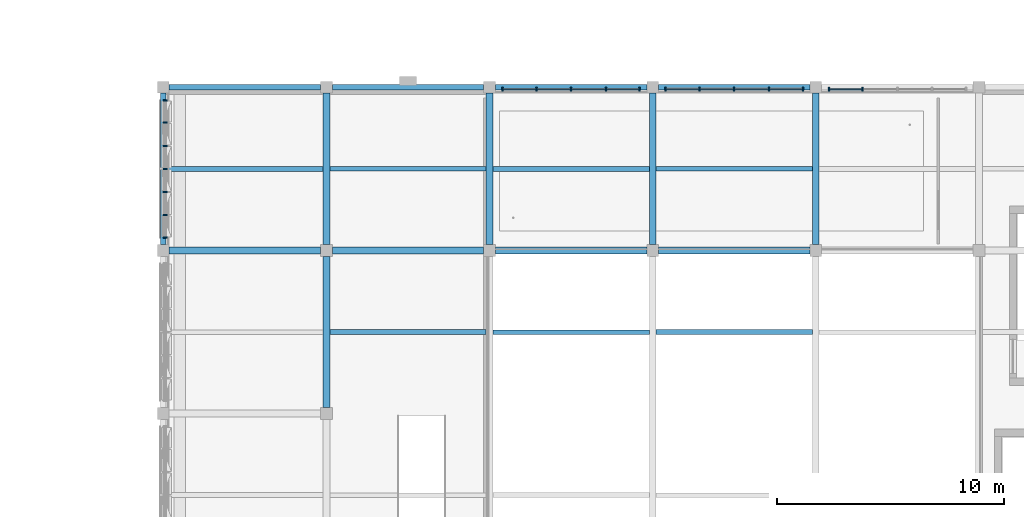
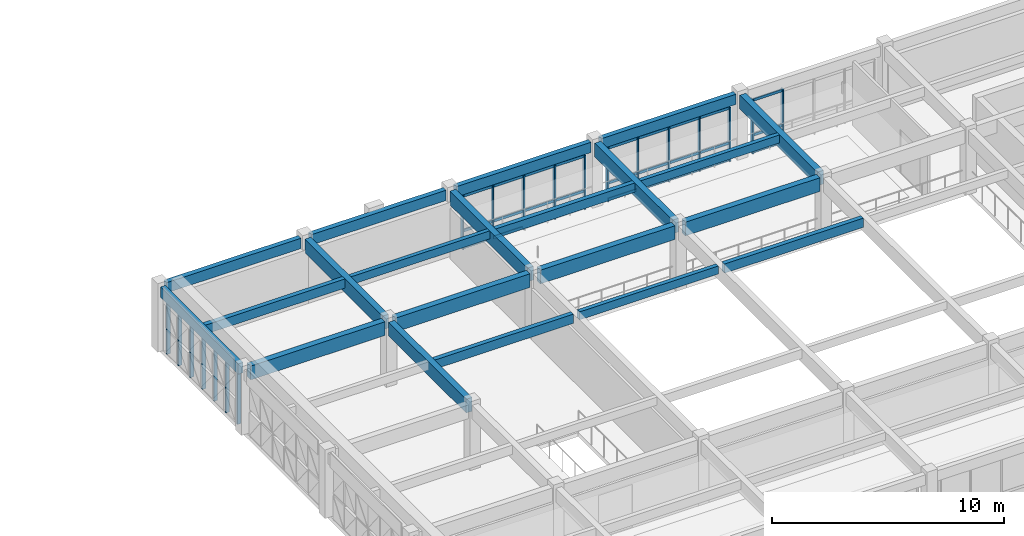
# One storey, part 11 of 74: 46 members, 21 beams, 4 elements without a shape of their own.
"""IFC4 building model written with IfcOpenShell, lengths in metres."""

from ifc_helpers import new_model, si_unit, direction, frame, origin, origin_2d, place, context, subcontext, project, spatial, rectangle, extrude, material, material_profile, profile_set, type_object, element, aggregate, save


model = new_model("IFC4")

# Units and contexts
model_context = context("Model", 3, precision=1e-05, world=origin(), true_north=direction((0.0, 1.0)))
body_context = subcontext(model_context, "Body", "Model", "MODEL_VIEW")
ifc_project = project(units=[si_unit("LENGTHUNIT", "METRE"), si_unit("AREAUNIT", "SQUARE_METRE"), si_unit("VOLUMEUNIT", "CUBIC_METRE"), si_unit("PLANEANGLEUNIT", "RADIAN"), si_unit("MASSUNIT", "GRAM", prefix="KILO")], contexts=[model_context])

# Site, building, storey
site_placement = place(None, origin())
site = spatial("IfcSite", under=ifc_project, at=site_placement, CompositionType="ELEMENT")
building_placement = place(site_placement, origin())
building = spatial("IfcBuilding", under=site, at=building_placement, Name="Alvorim Cloister Faculty of Sciences", CompositionType="ELEMENT")
storey_placement = place(building_placement, frame((0.0, 0.0, 15.75)))
storey = spatial("IfcBuildingStorey", under=building, at=storey_placement, Name="L04", CompositionType="ELEMENT", Elevation=15.75)

# Beams
ifc_material_1 = material(Name="Glulam GL32h", Category="wood")
ifc_material_profile_1 = material_profile(ifc_material_1, rectangle(XDim=0.300048828125, YDim=0.719970703125, at=origin_2d()), Name="GL32-BM-300x720")
ifc_profile_set_1 = profile_set([ifc_material_profile_1], Name="Glulam GL32h")
beam_type_1 = type_object("IfcBeamType", Name="BM-GL-300x720", PredefinedType="BEAM", material=ifc_profile_set_1)
for number, where, z_axis, x_axis, name in (
    (1, (65.06005859375, 21.60009765625, 3.030029296875), (1.0, 0.0, 0.0), (0.0, 1.0, 0.0), "L04 Primary Beam BM-1745"),
    (2, (72.260009765625, 21.60009765625, 3.030029296875), (1.0, 0.0, 0.0), (0.0, 1.0, 0.0), "L04 Primary Beam BM-1746"),
    (3, (79.4599609375, 21.60009765625, 3.030029296875), (1.0, 0.0, 0.0), (0.0, 1.0, 0.0), "L04 Primary Beam BM-1747"),
):
    element("IfcBeam", number, at=place(storey_placement, frame(where, z_axis=z_axis, x_axis=x_axis)), inside=storey, type_object=beam_type_1, Name=name, PredefinedType="BEAM", context=body_context, shape_type="SweptSolid", body=[
        extrude(rectangle(XDim=0.300048828125, YDim=0.719970703125, at=origin_2d()), origin(), (0.0, 0.0, 1.0), 6.679931640625),
    ])
for number, where, z_axis, x_axis, name in (
    (4, (86.659912109375, 21.60009765625, 3.030029296875), (1.0, 0.0, 0.0), (0.0, 1.0, 0.0), "L04 Primary Beam BM-1748"),
    (5, (72.0, 14.659912109375, 3.030029296875), (0.0, 1.0, 0.0), (-1.0, 0.0, 0.0), "L04 Primary Girder BM-1869"),
):
    element("IfcBeam", number, at=place(storey_placement, frame(where, z_axis=z_axis, x_axis=x_axis)), inside=storey, type_object=beam_type_1, Name=name, PredefinedType="BEAM", context=body_context, shape_type="SweptSolid", body=[
        extrude(rectangle(XDim=0.300048828125, YDim=0.719970703125, at=origin_2d()), origin(), (0.0, 0.0, 1.0), 6.68017578125),
    ])
for number, where, z_axis, x_axis, name in (
    (6, (72.0, 21.860107421875, 3.030029296875), (0.0, 1.0, 0.0), (-1.0, 0.0, 0.0), "L04 Primary Girder BM-1870"),
    (7, (79.199951171875, 21.860107421875, 3.030029296875), (0.0, 1.0, 0.0), (-1.0, 0.0, 0.0), "L04 Primary Girder BM-1873"),
    (8, (86.39990234375, 21.860107421875, 3.030029296875), (0.0, 1.0, 0.0), (-1.0, 0.0, 0.0), "L04 Primary Girder BM-1876"),
    (9, (93.60009765625, 21.860107421875, 3.030029296875), (0.0, 1.0, 0.0), (-1.0, 0.0, 0.0), "L04 Primary Girder BM-1879"),
):
    element("IfcBeam", number, at=place(storey_placement, frame(where, z_axis=z_axis, x_axis=x_axis)), inside=storey, type_object=beam_type_1, Name=name, PredefinedType="BEAM", context=body_context, shape_type="SweptSolid", body=[
        extrude(rectangle(XDim=0.300048828125, YDim=0.719970703125, at=origin_2d()), origin(), (0.0, 0.0, 1.0), 6.679931640625),
    ])
ifc_material_2 = material(Name="Glulam GL28h", Category="wood")
ifc_material_profile_2 = material_profile(ifc_material_2, rectangle(XDim=0.199951171875, YDim=0.419921875, at=origin_2d()), Name="GL28-JST-200x420")
ifc_profile_set_2 = profile_set([ifc_material_profile_2], Name="Glulam GL28h")
beam_type_2 = type_object("IfcBeamType", Name="BM-JST-GL-200x420", PredefinedType="JOIST", material=ifc_profile_set_2)
beam_1_placement = place(storey_placement, frame((72.14990234375, 25.199951171875, 3.179931640625), z_axis=(1.0, 0.0, 0.0), x_axis=(0.0, 1.0, 0.0)))
element("IfcBeam", 10, at=beam_1_placement, inside=storey, type_object=beam_type_2, Name="L04 Secondary Floor Joist BM-1944", PredefinedType="JOIST", context=body_context, shape_type="SweptSolid", body=[
    extrude(rectangle(XDim=0.199951171875, YDim=0.419921875, at=origin_2d()), origin(), (0.0, 0.0, 1.0), 6.900146484375),
])
for number, where, z_axis, x_axis, name in (
    (11, (79.35009765625, 18.0, 3.179931640625), (1.0, 0.0, 0.0), (0.0, 1.0, 0.0), "L04 Secondary Floor Joist BM-1947"),
    (12, (86.550048828125, 25.199951171875, 3.179931640625), (1.0, 0.0, 0.0), (0.0, 1.0, 0.0), "L04 Secondary Floor Joist BM-1952"),
):
    element("IfcBeam", number, at=place(storey_placement, frame(where, z_axis=z_axis, x_axis=x_axis)), inside=storey, type_object=beam_type_2, Name=name, PredefinedType="JOIST", context=body_context, shape_type="SweptSolid", body=[
        extrude(rectangle(XDim=0.199951171875, YDim=0.419921875, at=origin_2d()), origin(), (0.0, 0.0, 1.0), 6.89990234375),
    ])
ifc_material_profile_3 = material_profile(ifc_material_2, rectangle(XDim=0.219970703125, YDim=0.47998046875, at=origin_2d()), Name="GL28-JST-220x480")
ifc_profile_set_3 = profile_set([ifc_material_profile_3], Name="Glulam GL28h")
beam_type_3 = type_object("IfcBeamType", Name="BM-JST-GL-220x480", PredefinedType="JOIST", material=ifc_profile_set_3)
beam_2_placement = place(storey_placement, frame((64.919921875, 25.199951171875, 3.14990234375), z_axis=(1.0, 0.0, 0.0), x_axis=(0.0, 1.0, 0.0)))
element("IfcBeam", 13, at=beam_2_placement, inside=storey, type_object=beam_type_3, Name="L04 Secondary Floor Joist BM-1940", PredefinedType="JOIST", context=body_context, shape_type="SweptSolid", body=[
    extrude(rectangle(XDim=0.219970703125, YDim=0.47998046875, at=origin_2d()), origin(), (0.0, 0.0, 1.0), 6.93017578125),
])
beam_3_placement = place(storey_placement, frame((72.14990234375, 18.0, 3.14990234375), z_axis=(1.0, 0.0, 0.0), x_axis=(0.0, 1.0, 0.0)))
element("IfcBeam", 14, at=beam_3_placement, inside=storey, type_object=beam_type_3, Name="L04 Secondary Floor Joist BM-1943", PredefinedType="JOIST", context=body_context, shape_type="SweptSolid", body=[
    extrude(rectangle(XDim=0.219970703125, YDim=0.47998046875, at=origin_2d()), origin(), (0.0, 0.0, 1.0), 6.900146484375),
])
for number, where, z_axis, x_axis, name in (
    (15, (79.35009765625, 25.199951171875, 3.14990234375), (1.0, 0.0, 0.0), (0.0, 1.0, 0.0), "L04 Secondary Floor Joist BM-1948"),
    (16, (86.550048828125, 18.0, 3.14990234375), (1.0, 0.0, 0.0), (0.0, 1.0, 0.0), "L04 Secondary Floor Joist BM-1951"),
):
    element("IfcBeam", number, at=place(storey_placement, frame(where, z_axis=z_axis, x_axis=x_axis)), inside=storey, type_object=beam_type_3, Name=name, PredefinedType="JOIST", context=body_context, shape_type="SweptSolid", body=[
        extrude(rectangle(XDim=0.219970703125, YDim=0.47998046875, at=origin_2d()), origin(), (0.0, 0.0, 1.0), 6.89990234375),
    ])
ifc_material_profile_4 = material_profile(ifc_material_2, rectangle(XDim=0.239990234375, YDim=0.5400390625, at=origin_2d()), Name="GL28-SPD-240x540")
ifc_profile_set_4 = profile_set([ifc_material_profile_4], Name="Glulam GL28h")
beam_type_4 = type_object("IfcBeamType", Name="BM-SPD-GL-240x540", PredefinedType="SPANDREL", material=ifc_profile_set_4)
for number, where, z_axis, x_axis, name in (
    (17, (65.06005859375, 28.800048828125, 3.1201171875), (1.0, 0.0, 0.0), (0.0, 1.0, 0.0), "L04 Primary Beam BM-1752"),
    (18, (72.260009765625, 28.800048828125, 3.1201171875), (1.0, 0.0, 0.0), (0.0, 1.0, 0.0), "L04 Primary Beam BM-1753"),
    (19, (79.4599609375, 28.800048828125, 3.1201171875), (1.0, 0.0, 0.0), (0.0, 1.0, 0.0), "L04 Primary Beam BM-1754"),
):
    element("IfcBeam", number, at=place(storey_placement, frame(where, z_axis=z_axis, x_axis=x_axis)), inside=storey, type_object=beam_type_4, Name=name, PredefinedType="SPANDREL", context=body_context, shape_type="SweptSolid", body=[
        extrude(rectangle(XDim=0.239990234375, YDim=0.5400390625, at=origin_2d()), origin(), (0.0, 0.0, 1.0), 6.679931640625),
    ])
beam_4_placement = place(storey_placement, frame((86.659912109375, 28.800048828125, 3.1201171875), z_axis=(1.0, 0.0, 0.0), x_axis=(0.0, 1.0, 0.0)))
element("IfcBeam", 20, at=beam_4_placement, inside=storey, type_object=beam_type_4, Name="L04 Primary Beam BM-1755", PredefinedType="SPANDREL", context=body_context, shape_type="SweptSolid", body=[
    extrude(rectangle(XDim=0.239990234375, YDim=0.5400390625, at=origin_2d()), origin(), (0.0, 0.0, 1.0), 6.68017578125),
])
beam_5_placement = place(storey_placement, frame((64.800048828125, 21.860107421875, 3.1201171875), z_axis=(0.0, 1.0, 0.0), x_axis=(-1.0, 0.0, 0.0)))
element("IfcBeam", 21, at=beam_5_placement, inside=storey, type_object=beam_type_4, Name="L04 Primary Girder BM-1866", PredefinedType="SPANDREL", context=body_context, shape_type="SweptSolid", body=[
    extrude(rectangle(XDim=0.239990234375, YDim=0.5400390625, at=origin_2d()), origin(), (0.0, 0.0, 1.0), 6.679931640625),
])

# Curtain wall, members
ifc_material_3 = material(Name="Aluminium and Low-E Glass Curtain Wall", Category="aluminium")
curtain_wall_type_1 = type_object("IfcCurtainWallType", Name="CW-TRI-6120x2746", PredefinedType="USERDEFINED", material=ifc_material_3)
curtain_wall_1_placement = place(storey_placement, origin())
curtain_wall_1 = element("IfcCurtainWall", 22, at=curtain_wall_1_placement, inside=storey, type_object=curtain_wall_type_1, Name="L04 Diagonal Cassette Curtain Wall CW-0209", ObjectType="UNITISED CURTAIN WALL", PredefinedType="USERDEFINED")
ifc_material_4 = material(Name="Aluminium Alloy 6063-T6", Category="aluminium")
ifc_material_profile_5 = material_profile(ifc_material_4, rectangle(XDim=0.06494140625, YDim=0.179931640625, at=origin_2d()), Name="ALU-MUL-65x180")
ifc_profile_set_5 = profile_set([ifc_material_profile_5], Name="Aluminium Alloy 6063-T6")
member_type_1 = type_object("IfcMemberType", Name="CW-MUL-65x180", PredefinedType="MULLION", material=ifc_profile_set_5)
member_1_placement = place(storey_placement, frame((64.889892578125, 22.172607421875, 0.0), z_axis=(0.0, 0.0, 1.0), x_axis=(0.0, 1.0, 0.0)))
member_1 = element("IfcMember", 23, at=member_1_placement, type_object=member_type_1, Name="CW-0209 Mullion 1", PredefinedType="MULLION", context=body_context, shape_type="SweptSolid", body=[
    extrude(rectangle(XDim=0.06494140625, YDim=0.179931640625, at=origin_2d()), origin(), (0.0, 0.0, 1.0), 2.74560546875),
])
member_2_placement = place(storey_placement, frame((64.889892578125, 23.159912109375, 0.0), z_axis=(0.0, 0.0, 1.0), x_axis=(0.0, 1.0, 0.0)))
member_2 = element("IfcMember", 24, at=member_2_placement, type_object=member_type_1, Name="CW-0209 Mullion 2", PredefinedType="MULLION", context=body_context, shape_type="SweptSolid", body=[
    extrude(rectangle(XDim=0.06494140625, YDim=0.179931640625, at=origin_2d()), origin(), (0.0, 0.0, 1.0), 2.74560546875),
])
member_3_placement = place(storey_placement, frame((64.889892578125, 24.179931640625, 0.0), z_axis=(0.0, 0.0, 1.0), x_axis=(0.0, 1.0, 0.0)))
member_3 = element("IfcMember", 25, at=member_3_placement, type_object=member_type_1, Name="CW-0209 Mullion 3", PredefinedType="MULLION", context=body_context, shape_type="SweptSolid", body=[
    extrude(rectangle(XDim=0.06494140625, YDim=0.179931640625, at=origin_2d()), origin(), (0.0, 0.0, 1.0), 2.74560546875),
])
member_4_placement = place(storey_placement, frame((64.889892578125, 25.199951171875, 0.0), z_axis=(0.0, 0.0, 1.0), x_axis=(0.0, 1.0, 0.0)))
member_4 = element("IfcMember", 26, at=member_4_placement, type_object=member_type_1, Name="CW-0209 Mullion 4", PredefinedType="MULLION", context=body_context, shape_type="SweptSolid", body=[
    extrude(rectangle(XDim=0.06494140625, YDim=0.179931640625, at=origin_2d()), origin(), (0.0, 0.0, 1.0), 2.74560546875),
])
member_5_placement = place(storey_placement, frame((64.889892578125, 26.219970703125, 0.0), z_axis=(0.0, 0.0, 1.0), x_axis=(0.0, 1.0, 0.0)))
member_5 = element("IfcMember", 27, at=member_5_placement, type_object=member_type_1, Name="CW-0209 Mullion 5", PredefinedType="MULLION", context=body_context, shape_type="SweptSolid", body=[
    extrude(rectangle(XDim=0.06494140625, YDim=0.179931640625, at=origin_2d()), origin(), (0.0, 0.0, 1.0), 2.74560546875),
])
member_6_placement = place(storey_placement, frame((64.889892578125, 27.239990234375, 0.0), z_axis=(0.0, 0.0, 1.0), x_axis=(0.0, 1.0, 0.0)))
member_6 = element("IfcMember", 28, at=member_6_placement, type_object=member_type_1, Name="CW-0209 Mullion 6", PredefinedType="MULLION", context=body_context, shape_type="SweptSolid", body=[
    extrude(rectangle(XDim=0.06494140625, YDim=0.179931640625, at=origin_2d()), origin(), (0.0, 0.0, 1.0), 2.74560546875),
])
member_7_placement = place(storey_placement, frame((64.889892578125, 28.2275390625, 0.0), z_axis=(0.0, 0.0, 1.0), x_axis=(0.0, 1.0, 0.0)))
member_7 = element("IfcMember", 29, at=member_7_placement, type_object=member_type_1, Name="CW-0209 Mullion 7", PredefinedType="MULLION", context=body_context, shape_type="SweptSolid", body=[
    extrude(rectangle(XDim=0.06494140625, YDim=0.179931640625, at=origin_2d()), origin(), (0.0, 0.0, 1.0), 2.74560546875),
])
aggregate(curtain_wall_1, [member_1, member_2, member_3, member_4, member_5, member_6, member_7])

curtain_wall_type_2 = type_object("IfcCurtainWallType", Name="CW-GLZ-6120x2850", PredefinedType="USERDEFINED", material=ifc_material_3)
curtain_wall_2_placement = place(storey_placement, origin())
curtain_wall_2 = element("IfcCurtainWall", 30, at=curtain_wall_2_placement, inside=storey, type_object=curtain_wall_type_2, Name="L04 Entrance and Atrium Glazed Curtain Wall CW-0210", ObjectType="UNITISED CURTAIN WALL", PredefinedType="USERDEFINED")
member_8_placement = place(storey_placement, frame((79.7724609375, 28.7099609375, 0.0), z_axis=(0.0, 0.0, 1.0), x_axis=(1.0, 0.0, 0.0)))
member_8 = element("IfcMember", 31, at=member_8_placement, type_object=member_type_1, Name="CW-10 mullion 1", PredefinedType="MULLION", context=body_context, shape_type="SweptSolid", body=[
    extrude(rectangle(XDim=0.06494140625, YDim=0.179931640625, at=origin_2d()), origin(), (0.0, 0.0, 1.0), 2.85009765625),
])
member_9_placement = place(storey_placement, frame((81.27001953125, 28.7099609375, 0.0), z_axis=(0.0, 0.0, 1.0), x_axis=(1.0, 0.0, 0.0)))
member_9 = element("IfcMember", 32, at=member_9_placement, type_object=member_type_1, Name="CW-10 mullion 2", PredefinedType="MULLION", context=body_context, shape_type="SweptSolid", body=[
    extrude(rectangle(XDim=0.06494140625, YDim=0.179931640625, at=origin_2d()), origin(), (0.0, 0.0, 1.0), 2.85009765625),
])
member_10_placement = place(storey_placement, frame((82.800048828125, 28.7099609375, 0.0), z_axis=(0.0, 0.0, 1.0), x_axis=(1.0, 0.0, 0.0)))
member_10 = element("IfcMember", 33, at=member_10_placement, type_object=member_type_1, Name="CW-10 mullion 3", PredefinedType="MULLION", context=body_context, shape_type="SweptSolid", body=[
    extrude(rectangle(XDim=0.06494140625, YDim=0.179931640625, at=origin_2d()), origin(), (0.0, 0.0, 1.0), 2.85009765625),
])
member_11_placement = place(storey_placement, frame((84.330078125, 28.7099609375, 0.0), z_axis=(0.0, 0.0, 1.0), x_axis=(1.0, 0.0, 0.0)))
member_11 = element("IfcMember", 34, at=member_11_placement, type_object=member_type_1, Name="CW-10 mullion 4", PredefinedType="MULLION", context=body_context, shape_type="SweptSolid", body=[
    extrude(rectangle(XDim=0.06494140625, YDim=0.179931640625, at=origin_2d()), origin(), (0.0, 0.0, 1.0), 2.85009765625),
])
member_12_placement = place(storey_placement, frame((85.827392578125, 28.7099609375, 0.0), z_axis=(0.0, 0.0, 1.0), x_axis=(1.0, 0.0, 0.0)))
member_12 = element("IfcMember", 35, at=member_12_placement, type_object=member_type_1, Name="CW-10 mullion 5", PredefinedType="MULLION", context=body_context, shape_type="SweptSolid", body=[
    extrude(rectangle(XDim=0.06494140625, YDim=0.179931640625, at=origin_2d()), origin(), (0.0, 0.0, 1.0), 2.85009765625),
])

curtain_wall_3_placement = place(storey_placement, origin())
curtain_wall_3 = element("IfcCurtainWall", 36, at=curtain_wall_3_placement, inside=storey, type_object=curtain_wall_type_2, Name="L04 Entrance and Atrium Glazed Curtain Wall CW-0211", ObjectType="UNITISED CURTAIN WALL", PredefinedType="USERDEFINED")
member_13_placement = place(storey_placement, frame((86.972412109375, 28.7099609375, 0.0), z_axis=(0.0, 0.0, 1.0), x_axis=(1.0, 0.0, 0.0)))
member_13 = element("IfcMember", 37, at=member_13_placement, type_object=member_type_1, Name="CW-10 mullion 1", PredefinedType="MULLION", context=body_context, shape_type="SweptSolid", body=[
    extrude(rectangle(XDim=0.06494140625, YDim=0.179931640625, at=origin_2d()), origin(), (0.0, 0.0, 1.0), 2.85009765625),
])
member_14_placement = place(storey_placement, frame((88.469970703125, 28.7099609375, 0.0), z_axis=(0.0, 0.0, 1.0), x_axis=(1.0, 0.0, 0.0)))
member_14 = element("IfcMember", 38, at=member_14_placement, type_object=member_type_1, Name="CW-10 mullion 2", PredefinedType="MULLION", context=body_context, shape_type="SweptSolid", body=[
    extrude(rectangle(XDim=0.06494140625, YDim=0.179931640625, at=origin_2d()), origin(), (0.0, 0.0, 1.0), 2.85009765625),
])
member_15_placement = place(storey_placement, frame((90.0, 28.7099609375, 0.0), z_axis=(0.0, 0.0, 1.0), x_axis=(1.0, 0.0, 0.0)))
member_15 = element("IfcMember", 39, at=member_15_placement, type_object=member_type_1, Name="CW-10 mullion 3", PredefinedType="MULLION", context=body_context, shape_type="SweptSolid", body=[
    extrude(rectangle(XDim=0.06494140625, YDim=0.179931640625, at=origin_2d()), origin(), (0.0, 0.0, 1.0), 2.85009765625),
])
member_16_placement = place(storey_placement, frame((91.530029296875, 28.7099609375, 0.0), z_axis=(0.0, 0.0, 1.0), x_axis=(1.0, 0.0, 0.0)))
member_16 = element("IfcMember", 40, at=member_16_placement, type_object=member_type_1, Name="CW-10 mullion 4", PredefinedType="MULLION", context=body_context, shape_type="SweptSolid", body=[
    extrude(rectangle(XDim=0.06494140625, YDim=0.179931640625, at=origin_2d()), origin(), (0.0, 0.0, 1.0), 2.85009765625),
])
member_17_placement = place(storey_placement, frame((93.027587890625, 28.7099609375, 0.0), z_axis=(0.0, 0.0, 1.0), x_axis=(1.0, 0.0, 0.0)))
member_17 = element("IfcMember", 41, at=member_17_placement, type_object=member_type_1, Name="CW-10 mullion 5", PredefinedType="MULLION", context=body_context, shape_type="SweptSolid", body=[
    extrude(rectangle(XDim=0.06494140625, YDim=0.179931640625, at=origin_2d()), origin(), (0.0, 0.0, 1.0), 2.85009765625),
])

curtain_wall_4_placement = place(storey_placement, origin())
curtain_wall_4 = element("IfcCurtainWall", 42, at=curtain_wall_4_placement, inside=storey, type_object=curtain_wall_type_2, Name="L04 Entrance and Atrium Glazed Curtain Wall CW-0212", ObjectType="UNITISED CURTAIN WALL", PredefinedType="USERDEFINED")
member_18_placement = place(storey_placement, frame((94.172607421875, 28.7099609375, 0.0), z_axis=(0.0, 0.0, 1.0), x_axis=(1.0, 0.0, 0.0)))
member_18 = element("IfcMember", 43, at=member_18_placement, type_object=member_type_1, Name="CW-10 mullion 1", PredefinedType="MULLION", context=body_context, shape_type="SweptSolid", body=[
    extrude(rectangle(XDim=0.06494140625, YDim=0.179931640625, at=origin_2d()), origin(), (0.0, 0.0, 1.0), 2.85009765625),
])
member_19_placement = place(storey_placement, frame((95.669921875, 28.7099609375, 0.0), z_axis=(0.0, 0.0, 1.0), x_axis=(1.0, 0.0, 0.0)))
member_19 = element("IfcMember", 44, at=member_19_placement, type_object=member_type_1, Name="CW-10 mullion 2", PredefinedType="MULLION", context=body_context, shape_type="SweptSolid", body=[
    extrude(rectangle(XDim=0.06494140625, YDim=0.179931640625, at=origin_2d()), origin(), (0.0, 0.0, 1.0), 2.85009765625),
])

# Member
ifc_material_profile_6 = material_profile(ifc_material_4, rectangle(XDim=0.06494140625, YDim=0.139892578125, at=origin_2d()), Name="ALU-TRN-65x140")
ifc_profile_set_6 = profile_set([ifc_material_profile_6], Name="Aluminium Alloy 6063-T6")
member_type_2 = type_object("IfcMemberType", Name="CW-TRN-65x140", PredefinedType="USERDEFINED", material=ifc_profile_set_6)
member_20_placement = place(storey_placement, frame((79.804931640625, 28.7099609375, 0.070068359375), z_axis=(1.0, 0.0, 0.0), x_axis=(0.0, 1.0, 0.0)))
member_20 = element("IfcMember", 45, at=member_20_placement, type_object=member_type_2, Name="CW-10 transom 1.1", ObjectType="TRANSOM", PredefinedType="USERDEFINED", context=body_context, shape_type="SweptSolid", body=[
    extrude(rectangle(XDim=0.06494140625, YDim=0.139892578125, at=origin_2d()), origin(), (0.0, 0.0, 1.0), 1.4326171875),
])

member_21_placement = place(storey_placement, frame((79.804931640625, 28.7099609375, 0.949951171875), z_axis=(1.0, 0.0, 0.0), x_axis=(0.0, 1.0, 0.0)))
member_21 = element("IfcMember", 46, at=member_21_placement, type_object=member_type_2, Name="CW-10 transom 1.2", ObjectType="TRANSOM", PredefinedType="USERDEFINED", context=body_context, shape_type="SweptSolid", body=[
    extrude(rectangle(XDim=0.06494140625, YDim=0.139892578125, at=origin_2d()), origin(), (0.0, 0.0, 1.0), 1.4326171875),
])

member_22_placement = place(storey_placement, frame((79.804931640625, 28.7099609375, 2.780029296875), z_axis=(1.0, 0.0, 0.0), x_axis=(0.0, 1.0, 0.0)))
member_22 = element("IfcMember", 47, at=member_22_placement, type_object=member_type_2, Name="CW-10 transom 1.3", ObjectType="TRANSOM", PredefinedType="USERDEFINED", context=body_context, shape_type="SweptSolid", body=[
    extrude(rectangle(XDim=0.06494140625, YDim=0.139892578125, at=origin_2d()), origin(), (0.0, 0.0, 1.0), 1.4326171875),
])

member_23_placement = place(storey_placement, frame((81.302490234375, 28.7099609375, 0.070068359375), z_axis=(1.0, 0.0, 0.0), x_axis=(0.0, 1.0, 0.0)))
member_23 = element("IfcMember", 48, at=member_23_placement, type_object=member_type_2, Name="CW-10 transom 2.1", ObjectType="TRANSOM", PredefinedType="USERDEFINED", context=body_context, shape_type="SweptSolid", body=[
    extrude(rectangle(XDim=0.06494140625, YDim=0.139892578125, at=origin_2d()), origin(), (0.0, 0.0, 1.0), 1.465087890625),
])

member_24_placement = place(storey_placement, frame((81.302490234375, 28.7099609375, 0.949951171875), z_axis=(1.0, 0.0, 0.0), x_axis=(0.0, 1.0, 0.0)))
member_24 = element("IfcMember", 49, at=member_24_placement, type_object=member_type_2, Name="CW-10 transom 2.2", ObjectType="TRANSOM", PredefinedType="USERDEFINED", context=body_context, shape_type="SweptSolid", body=[
    extrude(rectangle(XDim=0.06494140625, YDim=0.139892578125, at=origin_2d()), origin(), (0.0, 0.0, 1.0), 1.465087890625),
])

member_25_placement = place(storey_placement, frame((81.302490234375, 28.7099609375, 2.780029296875), z_axis=(1.0, 0.0, 0.0), x_axis=(0.0, 1.0, 0.0)))
member_25 = element("IfcMember", 50, at=member_25_placement, type_object=member_type_2, Name="CW-10 transom 2.3", ObjectType="TRANSOM", PredefinedType="USERDEFINED", context=body_context, shape_type="SweptSolid", body=[
    extrude(rectangle(XDim=0.06494140625, YDim=0.139892578125, at=origin_2d()), origin(), (0.0, 0.0, 1.0), 1.465087890625),
])

member_26_placement = place(storey_placement, frame((82.83251953125, 28.7099609375, 0.070068359375), z_axis=(1.0, 0.0, 0.0), x_axis=(0.0, 1.0, 0.0)))
member_26 = element("IfcMember", 51, at=member_26_placement, type_object=member_type_2, Name="CW-10 transom 3.1", ObjectType="TRANSOM", PredefinedType="USERDEFINED", context=body_context, shape_type="SweptSolid", body=[
    extrude(rectangle(XDim=0.06494140625, YDim=0.139892578125, at=origin_2d()), origin(), (0.0, 0.0, 1.0), 1.465087890625),
])

member_27_placement = place(storey_placement, frame((82.83251953125, 28.7099609375, 0.949951171875), z_axis=(1.0, 0.0, 0.0), x_axis=(0.0, 1.0, 0.0)))
member_27 = element("IfcMember", 52, at=member_27_placement, type_object=member_type_2, Name="CW-10 transom 3.2", ObjectType="TRANSOM", PredefinedType="USERDEFINED", context=body_context, shape_type="SweptSolid", body=[
    extrude(rectangle(XDim=0.06494140625, YDim=0.139892578125, at=origin_2d()), origin(), (0.0, 0.0, 1.0), 1.465087890625),
])

member_28_placement = place(storey_placement, frame((82.83251953125, 28.7099609375, 2.780029296875), z_axis=(1.0, 0.0, 0.0), x_axis=(0.0, 1.0, 0.0)))
member_28 = element("IfcMember", 53, at=member_28_placement, type_object=member_type_2, Name="CW-10 transom 3.3", ObjectType="TRANSOM", PredefinedType="USERDEFINED", context=body_context, shape_type="SweptSolid", body=[
    extrude(rectangle(XDim=0.06494140625, YDim=0.139892578125, at=origin_2d()), origin(), (0.0, 0.0, 1.0), 1.465087890625),
])

member_29_placement = place(storey_placement, frame((84.362548828125, 28.7099609375, 0.070068359375), z_axis=(1.0, 0.0, 0.0), x_axis=(0.0, 1.0, 0.0)))
member_29 = element("IfcMember", 54, at=member_29_placement, type_object=member_type_2, Name="CW-10 transom 4.1", ObjectType="TRANSOM", PredefinedType="USERDEFINED", context=body_context, shape_type="SweptSolid", body=[
    extrude(rectangle(XDim=0.06494140625, YDim=0.139892578125, at=origin_2d()), origin(), (0.0, 0.0, 1.0), 1.432373046875),
])

member_30_placement = place(storey_placement, frame((84.362548828125, 28.7099609375, 0.949951171875), z_axis=(1.0, 0.0, 0.0), x_axis=(0.0, 1.0, 0.0)))
member_30 = element("IfcMember", 55, at=member_30_placement, type_object=member_type_2, Name="CW-10 transom 4.2", ObjectType="TRANSOM", PredefinedType="USERDEFINED", context=body_context, shape_type="SweptSolid", body=[
    extrude(rectangle(XDim=0.06494140625, YDim=0.139892578125, at=origin_2d()), origin(), (0.0, 0.0, 1.0), 1.432373046875),
])

member_31_placement = place(storey_placement, frame((84.362548828125, 28.7099609375, 2.780029296875), z_axis=(1.0, 0.0, 0.0), x_axis=(0.0, 1.0, 0.0)))
member_31 = element("IfcMember", 56, at=member_31_placement, type_object=member_type_2, Name="CW-10 transom 4.3", ObjectType="TRANSOM", PredefinedType="USERDEFINED", context=body_context, shape_type="SweptSolid", body=[
    extrude(rectangle(XDim=0.06494140625, YDim=0.139892578125, at=origin_2d()), origin(), (0.0, 0.0, 1.0), 1.432373046875),
])

aggregate(curtain_wall_2, [member_8, member_9, member_10, member_11, member_12, member_20, member_21, member_22, member_23, member_24, member_25, member_26, member_27, member_28, member_29, member_30, member_31])

member_32_placement = place(storey_placement, frame((87.0048828125, 28.7099609375, 0.070068359375), z_axis=(1.0, 0.0, 0.0), x_axis=(0.0, 1.0, 0.0)))
member_32 = element("IfcMember", 57, at=member_32_placement, type_object=member_type_2, Name="CW-10 transom 1.1", ObjectType="TRANSOM", PredefinedType="USERDEFINED", context=body_context, shape_type="SweptSolid", body=[
    extrude(rectangle(XDim=0.06494140625, YDim=0.139892578125, at=origin_2d()), origin(), (0.0, 0.0, 1.0), 1.4326171875),
])

member_33_placement = place(storey_placement, frame((87.0048828125, 28.7099609375, 0.949951171875), z_axis=(1.0, 0.0, 0.0), x_axis=(0.0, 1.0, 0.0)))
member_33 = element("IfcMember", 58, at=member_33_placement, type_object=member_type_2, Name="CW-10 transom 1.2", ObjectType="TRANSOM", PredefinedType="USERDEFINED", context=body_context, shape_type="SweptSolid", body=[
    extrude(rectangle(XDim=0.06494140625, YDim=0.139892578125, at=origin_2d()), origin(), (0.0, 0.0, 1.0), 1.4326171875),
])

member_34_placement = place(storey_placement, frame((87.0048828125, 28.7099609375, 2.780029296875), z_axis=(1.0, 0.0, 0.0), x_axis=(0.0, 1.0, 0.0)))
member_34 = element("IfcMember", 59, at=member_34_placement, type_object=member_type_2, Name="CW-10 transom 1.3", ObjectType="TRANSOM", PredefinedType="USERDEFINED", context=body_context, shape_type="SweptSolid", body=[
    extrude(rectangle(XDim=0.06494140625, YDim=0.139892578125, at=origin_2d()), origin(), (0.0, 0.0, 1.0), 1.4326171875),
])

member_35_placement = place(storey_placement, frame((88.50244140625, 28.7099609375, 0.070068359375), z_axis=(1.0, 0.0, 0.0), x_axis=(0.0, 1.0, 0.0)))
member_35 = element("IfcMember", 60, at=member_35_placement, type_object=member_type_2, Name="CW-10 transom 2.1", ObjectType="TRANSOM", PredefinedType="USERDEFINED", context=body_context, shape_type="SweptSolid", body=[
    extrude(rectangle(XDim=0.06494140625, YDim=0.139892578125, at=origin_2d()), origin(), (0.0, 0.0, 1.0), 1.465087890625),
])

member_36_placement = place(storey_placement, frame((88.50244140625, 28.7099609375, 0.949951171875), z_axis=(1.0, 0.0, 0.0), x_axis=(0.0, 1.0, 0.0)))
member_36 = element("IfcMember", 61, at=member_36_placement, type_object=member_type_2, Name="CW-10 transom 2.2", ObjectType="TRANSOM", PredefinedType="USERDEFINED", context=body_context, shape_type="SweptSolid", body=[
    extrude(rectangle(XDim=0.06494140625, YDim=0.139892578125, at=origin_2d()), origin(), (0.0, 0.0, 1.0), 1.465087890625),
])

member_37_placement = place(storey_placement, frame((88.50244140625, 28.7099609375, 2.780029296875), z_axis=(1.0, 0.0, 0.0), x_axis=(0.0, 1.0, 0.0)))
member_37 = element("IfcMember", 62, at=member_37_placement, type_object=member_type_2, Name="CW-10 transom 2.3", ObjectType="TRANSOM", PredefinedType="USERDEFINED", context=body_context, shape_type="SweptSolid", body=[
    extrude(rectangle(XDim=0.06494140625, YDim=0.139892578125, at=origin_2d()), origin(), (0.0, 0.0, 1.0), 1.465087890625),
])

member_38_placement = place(storey_placement, frame((90.032470703125, 28.7099609375, 0.070068359375), z_axis=(1.0, 0.0, 0.0), x_axis=(0.0, 1.0, 0.0)))
member_38 = element("IfcMember", 63, at=member_38_placement, type_object=member_type_2, Name="CW-10 transom 3.1", ObjectType="TRANSOM", PredefinedType="USERDEFINED", context=body_context, shape_type="SweptSolid", body=[
    extrude(rectangle(XDim=0.06494140625, YDim=0.139892578125, at=origin_2d()), origin(), (0.0, 0.0, 1.0), 1.465087890625),
])

member_39_placement = place(storey_placement, frame((90.032470703125, 28.7099609375, 0.949951171875), z_axis=(1.0, 0.0, 0.0), x_axis=(0.0, 1.0, 0.0)))
member_39 = element("IfcMember", 64, at=member_39_placement, type_object=member_type_2, Name="CW-10 transom 3.2", ObjectType="TRANSOM", PredefinedType="USERDEFINED", context=body_context, shape_type="SweptSolid", body=[
    extrude(rectangle(XDim=0.06494140625, YDim=0.139892578125, at=origin_2d()), origin(), (0.0, 0.0, 1.0), 1.465087890625),
])

member_40_placement = place(storey_placement, frame((90.032470703125, 28.7099609375, 2.780029296875), z_axis=(1.0, 0.0, 0.0), x_axis=(0.0, 1.0, 0.0)))
member_40 = element("IfcMember", 65, at=member_40_placement, type_object=member_type_2, Name="CW-10 transom 3.3", ObjectType="TRANSOM", PredefinedType="USERDEFINED", context=body_context, shape_type="SweptSolid", body=[
    extrude(rectangle(XDim=0.06494140625, YDim=0.139892578125, at=origin_2d()), origin(), (0.0, 0.0, 1.0), 1.465087890625),
])

member_41_placement = place(storey_placement, frame((91.5625, 28.7099609375, 0.070068359375), z_axis=(1.0, 0.0, 0.0), x_axis=(0.0, 1.0, 0.0)))
member_41 = element("IfcMember", 66, at=member_41_placement, type_object=member_type_2, Name="CW-10 transom 4.1", ObjectType="TRANSOM", PredefinedType="USERDEFINED", context=body_context, shape_type="SweptSolid", body=[
    extrude(rectangle(XDim=0.06494140625, YDim=0.139892578125, at=origin_2d()), origin(), (0.0, 0.0, 1.0), 1.4326171875),
])

member_42_placement = place(storey_placement, frame((91.5625, 28.7099609375, 0.949951171875), z_axis=(1.0, 0.0, 0.0), x_axis=(0.0, 1.0, 0.0)))
member_42 = element("IfcMember", 67, at=member_42_placement, type_object=member_type_2, Name="CW-10 transom 4.2", ObjectType="TRANSOM", PredefinedType="USERDEFINED", context=body_context, shape_type="SweptSolid", body=[
    extrude(rectangle(XDim=0.06494140625, YDim=0.139892578125, at=origin_2d()), origin(), (0.0, 0.0, 1.0), 1.4326171875),
])

member_43_placement = place(storey_placement, frame((91.5625, 28.7099609375, 2.780029296875), z_axis=(1.0, 0.0, 0.0), x_axis=(0.0, 1.0, 0.0)))
member_43 = element("IfcMember", 68, at=member_43_placement, type_object=member_type_2, Name="CW-10 transom 4.3", ObjectType="TRANSOM", PredefinedType="USERDEFINED", context=body_context, shape_type="SweptSolid", body=[
    extrude(rectangle(XDim=0.06494140625, YDim=0.139892578125, at=origin_2d()), origin(), (0.0, 0.0, 1.0), 1.4326171875),
])

aggregate(curtain_wall_3, [member_13, member_14, member_15, member_16, member_17, member_32, member_33, member_34, member_35, member_36, member_37, member_38, member_39, member_40, member_41, member_42, member_43])

member_44_placement = place(storey_placement, frame((94.205078125, 28.7099609375, 0.070068359375), z_axis=(1.0, 0.0, 0.0), x_axis=(0.0, 1.0, 0.0)))
member_44 = element("IfcMember", 69, at=member_44_placement, type_object=member_type_2, Name="CW-10 transom 1.1", ObjectType="TRANSOM", PredefinedType="USERDEFINED", context=body_context, shape_type="SweptSolid", body=[
    extrude(rectangle(XDim=0.06494140625, YDim=0.139892578125, at=origin_2d()), origin(), (0.0, 0.0, 1.0), 1.432373046875),
])

member_45_placement = place(storey_placement, frame((94.205078125, 28.7099609375, 0.949951171875), z_axis=(1.0, 0.0, 0.0), x_axis=(0.0, 1.0, 0.0)))
member_45 = element("IfcMember", 70, at=member_45_placement, type_object=member_type_2, Name="CW-10 transom 1.2", ObjectType="TRANSOM", PredefinedType="USERDEFINED", context=body_context, shape_type="SweptSolid", body=[
    extrude(rectangle(XDim=0.06494140625, YDim=0.139892578125, at=origin_2d()), origin(), (0.0, 0.0, 1.0), 1.432373046875),
])

member_46_placement = place(storey_placement, frame((94.205078125, 28.7099609375, 2.780029296875), z_axis=(1.0, 0.0, 0.0), x_axis=(0.0, 1.0, 0.0)))
member_46 = element("IfcMember", 71, at=member_46_placement, type_object=member_type_2, Name="CW-10 transom 1.3", ObjectType="TRANSOM", PredefinedType="USERDEFINED", context=body_context, shape_type="SweptSolid", body=[
    extrude(rectangle(XDim=0.06494140625, YDim=0.139892578125, at=origin_2d()), origin(), (0.0, 0.0, 1.0), 1.432373046875),
])

aggregate(curtain_wall_4, [member_18, member_19, member_44, member_45, member_46])

save(model, "model.ifc")
